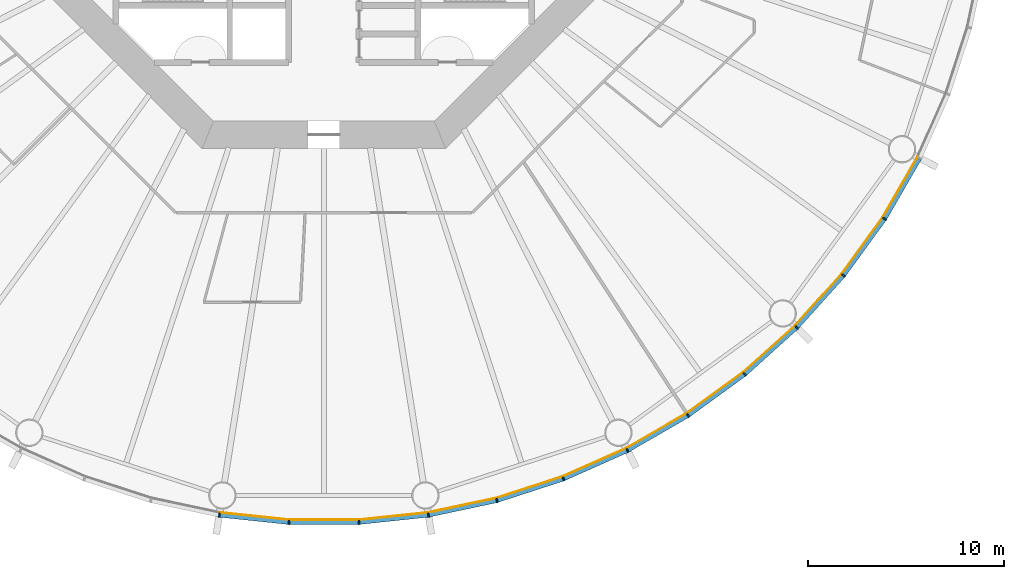
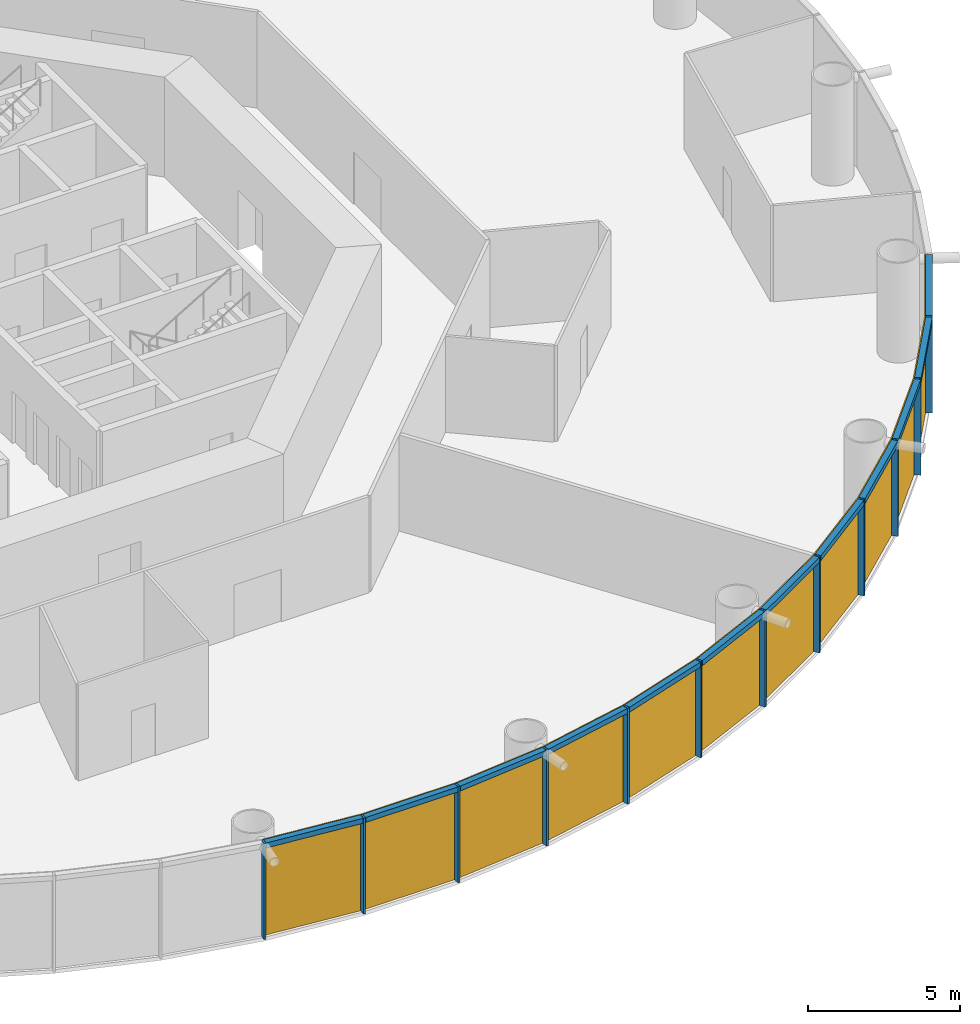
# One storey, part 8 of 13: 24 members, 4 curtain walls.
"""IFC4 building model written with IfcOpenShell, lengths in metres."""

from ifc_helpers import new_model, si_unit, direction, frame, origin, origin_2d, place, context, subcontext, project, spatial, polyline, rectangle, outline, extrude, material, layer, layer_set, material_profile, profile_set, type_object, element, aggregate, save


model = new_model("IFC4")

# Units and contexts
model_context = context("Model", 3, precision=1e-05, world=origin(), true_north=direction((0.0, 1.0)))
body_context = subcontext(model_context, "Body", "Model", "MODEL_VIEW")
ifc_project = project(units=[si_unit("LENGTHUNIT", "METRE"), si_unit("AREAUNIT", "SQUARE_METRE"), si_unit("VOLUMEUNIT", "CUBIC_METRE"), si_unit("PLANEANGLEUNIT", "RADIAN"), si_unit("MASSUNIT", "GRAM", prefix="KILO")], contexts=[model_context])

# Member
ifc_material_1 = material(Name="Anodised aluminium", Category="aluminium")
ifc_material_profile_1 = material_profile(ifc_material_1, rectangle(XDim=0.074951171875, YDim=0.219970703125, at=origin_2d()), Name="Mullion 75 x 220 mm anodised aluminium")
ifc_profile_set_1 = profile_set([ifc_material_profile_1], Name="Anodised aluminium")
member_type_1 = type_object("IfcMemberType", Name="Mullion 75 x 220 mm anodised aluminium", PredefinedType="MULLION", material=ifc_profile_set_1)
site_placement = place(None, origin())
building_placement = place(site_placement, origin())
storey_placement = place(building_placement, frame((0.0, 0.0, 50.0)))
member_1_placement = place(storey_placement, frame((84.6640625, 46.31005859375, 0.0), z_axis=(0.0, 0.0, 1.0), x_axis=(0.987688340595, -0.15643446504, 0.0)))
member_1 = element("IfcMember", 1, at=member_1_placement, type_object=member_type_1, Name="MULLION L10-42", PredefinedType="MULLION", context=body_context, shape_type="SweptSolid", body=[
    extrude(rectangle(XDim=0.074951171875, YDim=0.219970703125, at=origin_2d()), origin(), (0.0, 0.0, 1.0), 3.85009765625),
])

member_2_placement = place(storey_placement, frame((88.21484375, 45.936767578125, 0.0), z_axis=(0.0, 0.0, 1.0), x_axis=(0.998629534755, -0.052335956243, 0.0)))
member_2 = element("IfcMember", 2, at=member_2_placement, type_object=member_type_1, Name="MULLION L10-43", PredefinedType="MULLION", context=body_context, shape_type="SweptSolid", body=[
    extrude(rectangle(XDim=0.074951171875, YDim=0.219970703125, at=origin_2d()), origin(), (0.0, 0.0, 1.0), 3.85009765625),
])

member_3_placement = place(storey_placement, frame((91.78515625, 45.936767578125, 0.0), z_axis=(0.0, 0.0, 1.0), x_axis=(0.998629534755, 0.052335956243, 0.0)))
member_3 = element("IfcMember", 3, at=member_3_placement, type_object=member_type_1, Name="MULLION L10-44", PredefinedType="MULLION", context=body_context, shape_type="SweptSolid", body=[
    extrude(rectangle(XDim=0.074951171875, YDim=0.219970703125, at=origin_2d()), origin(), (0.0, 0.0, 1.0), 3.85009765625),
])

member_4_placement = place(storey_placement, frame((95.3359375, 46.31005859375, 0.0), z_axis=(0.0, 0.0, 1.0), x_axis=(0.987688340595, 0.15643446504, 0.0)))
member_4 = element("IfcMember", 4, at=member_4_placement, type_object=member_type_1, Name="MULLION L10-45", PredefinedType="MULLION", context=body_context, shape_type="SweptSolid", body=[
    extrude(rectangle(XDim=0.074951171875, YDim=0.219970703125, at=origin_2d()), origin(), (0.0, 0.0, 1.0), 3.85009765625),
])

member_5_placement = place(storey_placement, frame((98.828369140625, 47.05224609375, 0.0), z_axis=(0.0, 0.0, 1.0), x_axis=(0.965925826289, 0.258819045103, 0.0)))
member_5 = element("IfcMember", 5, at=member_5_placement, type_object=member_type_1, Name="MULLION L10-46", PredefinedType="MULLION", context=body_context, shape_type="SweptSolid", body=[
    extrude(rectangle(XDim=0.074951171875, YDim=0.219970703125, at=origin_2d()), origin(), (0.0, 0.0, 1.0), 3.85009765625),
])

member_6_placement = place(storey_placement, frame((102.223876953125, 48.155517578125, 0.0), z_axis=(0.0, 0.0, 1.0), x_axis=(0.933580426497, 0.358367949545, 0.0)))
member_6 = element("IfcMember", 6, at=member_6_placement, type_object=member_type_1, Name="MULLION L10-47", PredefinedType="MULLION", context=body_context, shape_type="SweptSolid", body=[
    extrude(rectangle(XDim=0.074951171875, YDim=0.219970703125, at=origin_2d()), origin(), (0.0, 0.0, 1.0), 3.85009765625),
])

member_7_placement = place(storey_placement, frame((105.485595703125, 49.607666015625, 0.0), z_axis=(0.0, 0.0, 1.0), x_axis=(0.891006524188, 0.45399049974, 0.0)))
member_7 = element("IfcMember", 7, at=member_7_placement, type_object=member_type_1, Name="MULLION L10-48", PredefinedType="MULLION", context=body_context, shape_type="SweptSolid", body=[
    extrude(rectangle(XDim=0.074951171875, YDim=0.219970703125, at=origin_2d()), origin(), (0.0, 0.0, 1.0), 3.85009765625),
])

member_8_placement = place(storey_placement, frame((108.57763671875, 51.39306640625, 0.0), z_axis=(0.0, 0.0, 1.0), x_axis=(0.838670567945, 0.544639035015, 0.0)))
member_8 = element("IfcMember", 8, at=member_8_placement, type_object=member_type_1, Name="MULLION L10-49", PredefinedType="MULLION", context=body_context, shape_type="SweptSolid", body=[
    extrude(rectangle(XDim=0.074951171875, YDim=0.219970703125, at=origin_2d()), origin(), (0.0, 0.0, 1.0), 3.85009765625),
])

member_9_placement = place(storey_placement, frame((111.466064453125, 53.491455078125, 0.0), z_axis=(0.0, 0.0, 1.0), x_axis=(0.777145961457, 0.62932039105, 0.0)))
member_9 = element("IfcMember", 9, at=member_9_placement, type_object=member_type_1, Name="MULLION L10-50", PredefinedType="MULLION", context=body_context, shape_type="SweptSolid", body=[
    extrude(rectangle(XDim=0.074951171875, YDim=0.219970703125, at=origin_2d()), origin(), (0.0, 0.0, 1.0), 3.85009765625),
])

member_10_placement = place(storey_placement, frame((114.119384765625, 55.880615234375, 0.0), z_axis=(0.0, 0.0, 1.0), x_axis=(0.707106781187, 0.707106781187, 0.0)))
member_10 = element("IfcMember", 10, at=member_10_placement, type_object=member_type_1, Name="MULLION L10-51", PredefinedType="MULLION", context=body_context, shape_type="SweptSolid", body=[
    extrude(rectangle(XDim=0.074951171875, YDim=0.219970703125, at=origin_2d()), origin(), (0.0, 0.0, 1.0), 3.85009765625),
])

member_11_placement = place(storey_placement, frame((116.508544921875, 58.533935546875, 0.0), z_axis=(0.0, 0.0, 1.0), x_axis=(0.62932039105, 0.777145961457, 0.0)))
member_11 = element("IfcMember", 11, at=member_11_placement, type_object=member_type_1, Name="MULLION L10-52", PredefinedType="MULLION", context=body_context, shape_type="SweptSolid", body=[
    extrude(rectangle(XDim=0.074951171875, YDim=0.219970703125, at=origin_2d()), origin(), (0.0, 0.0, 1.0), 3.85009765625),
])

member_12_placement = place(storey_placement, frame((118.60693359375, 61.42236328125, 0.0), z_axis=(0.0, 0.0, 1.0), x_axis=(0.544639035015, 0.838670567945, 0.0)))
member_12 = element("IfcMember", 12, at=member_12_placement, type_object=member_type_1, Name="MULLION L10-53", PredefinedType="MULLION", context=body_context, shape_type="SweptSolid", body=[
    extrude(rectangle(XDim=0.074951171875, YDim=0.219970703125, at=origin_2d()), origin(), (0.0, 0.0, 1.0), 3.85009765625),
])

ifc_material_2 = material(Name="Anodised aluminium", Category="aluminium")
ifc_material_profile_2 = material_profile(ifc_material_2, rectangle(XDim=0.219970703125, YDim=0.199951171875, at=origin_2d()), Name="Transom 200 x 220 mm anodised aluminium")
ifc_profile_set_2 = profile_set([ifc_material_profile_2], Name="Anodised aluminium")
member_type_2 = type_object("IfcMemberType", Name="Transom 200 x 220 mm anodised aluminium", PredefinedType="USERDEFINED", material=ifc_profile_set_2)
member_13_placement = place(storey_placement, frame((84.70703125, 46.30517578125, 3.75), z_axis=(0.994526551648, -0.104484152234, 0.0), x_axis=(0.104484152234, 0.994526551648, 0.0)))
member_13 = element("IfcMember", 13, at=member_13_placement, type_object=member_type_2, Name="TRANSOM L10-42", ObjectType="TRANSOM", PredefinedType="USERDEFINED", context=body_context, shape_type="SweptSolid", body=[
    extrude(rectangle(XDim=0.219970703125, YDim=0.199951171875, at=origin_2d()), origin(), (0.0, 0.0, 1.0), 3.48388671875),
])

member_14_placement = place(storey_placement, frame((88.258056640625, 45.9365234375, 3.75), z_axis=(1.0, 0.0, 0.0), x_axis=(0.0, 1.0, 0.0)))
member_14 = element("IfcMember", 14, at=member_14_placement, type_object=member_type_2, Name="TRANSOM L10-43", ObjectType="TRANSOM", PredefinedType="USERDEFINED", context=body_context, shape_type="SweptSolid", body=[
    extrude(rectangle(XDim=0.219970703125, YDim=0.199951171875, at=origin_2d()), origin(), (0.0, 0.0, 1.0), 3.48388671875),
])

member_15_placement = place(storey_placement, frame((91.828125, 45.941162109375, 3.75), z_axis=(0.994526551648, 0.104484152234, 0.0), x_axis=(-0.104484152234, 0.994526551648, 0.0)))
member_15 = element("IfcMember", 15, at=member_15_placement, type_object=member_type_2, Name="TRANSOM L10-44", ObjectType="TRANSOM", PredefinedType="USERDEFINED", context=body_context, shape_type="SweptSolid", body=[
    extrude(rectangle(XDim=0.219970703125, YDim=0.199951171875, at=origin_2d()), origin(), (0.0, 0.0, 1.0), 3.48388671875),
])

member_16_placement = place(storey_placement, frame((95.37841796875, 46.31884765625, 3.75), z_axis=(0.978145669426, 0.207920776701, 0.0), x_axis=(-0.207920776701, 0.978145669426, 0.0)))
member_16 = element("IfcMember", 16, at=member_16_placement, type_object=member_type_2, Name="TRANSOM L10-45", ObjectType="TRANSOM", PredefinedType="USERDEFINED", context=body_context, shape_type="SweptSolid", body=[
    extrude(rectangle(XDim=0.219970703125, YDim=0.199951171875, at=origin_2d()), origin(), (0.0, 0.0, 1.0), 3.48388671875),
])

member_17_placement = place(storey_placement, frame((98.869384765625, 47.0654296875, 3.75), z_axis=(0.951052605696, 0.309029029702, 0.0), x_axis=(-0.309029029702, 0.951052605696, 0.0)))
member_17 = element("IfcMember", 17, at=member_17_placement, type_object=member_type_2, Name="TRANSOM L10-46", ObjectType="TRANSOM", PredefinedType="USERDEFINED", context=body_context, shape_type="SweptSolid", body=[
    extrude(rectangle(XDim=0.219970703125, YDim=0.199951171875, at=origin_2d()), origin(), (0.0, 0.0, 1.0), 3.484130859375),
])

member_18_placement = place(storey_placement, frame((102.263427734375, 48.173095703125, 3.75), z_axis=(0.913545487371, 0.406736576304, 0.0), x_axis=(-0.406736576304, 0.913545487371, 0.0)))
member_18 = element("IfcMember", 18, at=member_18_placement, type_object=member_type_2, Name="TRANSOM L10-47", ObjectType="TRANSOM", PredefinedType="USERDEFINED", context=body_context, shape_type="SweptSolid", body=[
    extrude(rectangle(XDim=0.219970703125, YDim=0.199951171875, at=origin_2d()), origin(), (0.0, 0.0, 1.0), 3.48388671875),
])

member_19_placement = place(storey_placement, frame((105.523193359375, 49.629150390625, 3.75), z_axis=(0.866022206254, 0.500005538244, 0.0), x_axis=(-0.500005538244, 0.866022206254, 0.0)))
member_19 = element("IfcMember", 19, at=member_19_placement, type_object=member_type_2, Name="TRANSOM L10-48", ObjectType="TRANSOM", PredefinedType="USERDEFINED", context=body_context, shape_type="SweptSolid", body=[
    extrude(rectangle(XDim=0.219970703125, YDim=0.199951171875, at=origin_2d()), origin(), (0.0, 0.0, 1.0), 3.48388671875),
])

member_20_placement = place(storey_placement, frame((108.61279296875, 51.418212890625, 3.75), z_axis=(0.80899056535, 0.587821627006, 0.0), x_axis=(-0.587821627006, 0.80899056535, 0.0)))
member_20 = element("IfcMember", 20, at=member_20_placement, type_object=member_type_2, Name="TRANSOM L10-49", ObjectType="TRANSOM", PredefinedType="USERDEFINED", context=body_context, shape_type="SweptSolid", body=[
    extrude(rectangle(XDim=0.219970703125, YDim=0.199951171875, at=origin_2d()), origin(), (0.0, 0.0, 1.0), 3.48388671875),
])

member_21_placement = place(storey_placement, frame((111.498291015625, 53.520263671875, 3.75), z_axis=(0.743137329876, 0.669138930974, 0.0), x_axis=(-0.669138930974, 0.743137329876, 0.0)))
member_21 = element("IfcMember", 21, at=member_21_placement, type_object=member_type_2, Name="TRANSOM L10-50", ObjectType="TRANSOM", PredefinedType="USERDEFINED", context=body_context, shape_type="SweptSolid", body=[
    extrude(rectangle(XDim=0.219970703125, YDim=0.199951171875, at=origin_2d()), origin(), (0.0, 0.0, 1.0), 3.484130859375),
])

member_22_placement = place(storey_placement, frame((114.1484375, 55.91259765625, 3.75), z_axis=(0.669138930974, 0.743137329876, 0.0), x_axis=(-0.743137329876, 0.669138930974, 0.0)))
member_22 = element("IfcMember", 22, at=member_22_placement, type_object=member_type_2, Name="TRANSOM L10-51", ObjectType="TRANSOM", PredefinedType="USERDEFINED", context=body_context, shape_type="SweptSolid", body=[
    extrude(rectangle(XDim=0.219970703125, YDim=0.199951171875, at=origin_2d()), origin(), (0.0, 0.0, 1.0), 3.484130859375),
])

member_23_placement = place(storey_placement, frame((116.533935546875, 58.56884765625, 3.75), z_axis=(0.587821627006, 0.80899056535, 0.0), x_axis=(-0.80899056535, 0.587821627006, 0.0)))
member_23 = element("IfcMember", 23, at=member_23_placement, type_object=member_type_2, Name="TRANSOM L10-52", ObjectType="TRANSOM", PredefinedType="USERDEFINED", context=body_context, shape_type="SweptSolid", body=[
    extrude(rectangle(XDim=0.219970703125, YDim=0.199951171875, at=origin_2d()), origin(), (0.0, 0.0, 1.0), 3.48388671875),
])

member_24_placement = place(storey_placement, frame((118.62890625, 61.459716796875, 3.75), z_axis=(0.500005538244, 0.866022206254, 0.0), x_axis=(-0.866022206254, 0.500005538244, 0.0)))
member_24 = element("IfcMember", 24, at=member_24_placement, type_object=member_type_2, Name="TRANSOM L10-53", ObjectType="TRANSOM", PredefinedType="USERDEFINED", context=body_context, shape_type="SweptSolid", body=[
    extrude(rectangle(XDim=0.219970703125, YDim=0.199951171875, at=origin_2d()), origin(), (0.0, 0.0, 1.0), 3.48388671875),
])

# Site, building, storey
site = spatial("IfcSite", under=ifc_project, at=site_placement, CompositionType="ELEMENT")
building = spatial("IfcBuilding", under=site, at=building_placement, Name="Entoto Ring Tower", CompositionType="ELEMENT")
storey = spatial("IfcBuildingStorey", under=building, at=storey_placement, Name="L10", CompositionType="ELEMENT", Elevation=50.0)

# Curtain wall
ifc_material_3 = material(Name="Clear low-iron glass", Category="glass")
ifc_layer = layer(ifc_material_3, 0.0400390625)
ifc_layer_set = layer_set([ifc_layer], Name="Clear low-iron glass")
curtain_wall_type = type_object("IfcCurtainWallType", Name="Curtain wall system CW1 glazing 40 mm", PredefinedType="NOTDEFINED", material=ifc_layer_set)
curtain_wall_1_placement = place(storey_placement, origin())
curtain_wall_1 = element("IfcCurtainWall", 25, at=curtain_wall_1_placement, inside=storey, type_object=curtain_wall_type, Name="CW1 L10-15", PredefinedType="NOTDEFINED", context=body_context, shape_type="SweptSolid", body=[
    extrude(outline(polyline([(84.68115234375, 46.418701171875), (88.220458984375, 46.046630859375), (91.779541015625, 46.046630859375), (95.31884765625, 46.418701171875), (95.3125, 46.458251953125), (91.77734375, 46.086669921875), (88.22265625, 46.086669921875), (84.6875, 46.458251953125), (84.68115234375, 46.418701171875)])), origin(), (0.0, 0.0, 1.0), 3.85009765625),
])

aggregate(curtain_wall_1, [member_1, member_2, member_3, member_13, member_14, member_15])

curtain_wall_2_placement = place(storey_placement, origin())
curtain_wall_2 = element("IfcCurtainWall", 26, at=curtain_wall_2_placement, inside=storey, type_object=curtain_wall_type, Name="CW1 L10-16", PredefinedType="NOTDEFINED", context=body_context, shape_type="SweptSolid", body=[
    extrude(outline(polyline([(95.31884765625, 46.418701171875), (98.7998046875, 47.158447265625), (102.1845703125, 48.25830078125), (105.435791015625, 49.705810546875), (105.41748046875, 49.741455078125), (102.170166015625, 48.295654296875), (98.78955078125, 47.197265625), (95.3125, 46.458251953125), (95.31884765625, 46.418701171875)])), origin(), (0.0, 0.0, 1.0), 3.85009765625),
])

aggregate(curtain_wall_2, [member_4, member_5, member_6, member_16, member_17, member_18])

curtain_wall_3_placement = place(storey_placement, origin())
curtain_wall_3 = element("IfcCurtainWall", 27, at=curtain_wall_3_placement, inside=storey, type_object=curtain_wall_type, Name="CW1 L10-17", PredefinedType="NOTDEFINED", context=body_context, shape_type="SweptSolid", body=[
    extrude(outline(polyline([(105.435791015625, 49.705810546875), (108.517822265625, 51.485107421875), (111.39697265625, 53.5771484375), (114.041748046875, 55.958251953125), (114.013427734375, 55.986572265625), (111.37158203125, 53.608154296875), (108.495849609375, 51.518798828125), (105.41748046875, 49.741455078125), (105.435791015625, 49.705810546875)])), origin(), (0.0, 0.0, 1.0), 3.85009765625),
])

aggregate(curtain_wall_3, [member_7, member_8, member_9, member_19, member_20, member_21])

curtain_wall_4_placement = place(storey_placement, origin())
curtain_wall_4 = element("IfcCurtainWall", 28, at=curtain_wall_4_placement, inside=storey, type_object=curtain_wall_type, Name="CW1 L10-18", PredefinedType="NOTDEFINED", context=body_context, shape_type="SweptSolid", body=[
    extrude(outline(polyline([(114.041748046875, 55.958251953125), (116.4228515625, 58.60302734375), (118.514892578125, 61.482177734375), (120.294189453125, 64.564208984375), (120.258544921875, 64.58251953125), (118.481201171875, 61.504150390625), (116.391845703125, 58.62841796875), (114.013427734375, 55.986572265625), (114.041748046875, 55.958251953125)])), origin(), (0.0, 0.0, 1.0), 3.85009765625),
])

aggregate(curtain_wall_4, [member_10, member_11, member_12, member_22, member_23, member_24])

save(model, "model.ifc")
